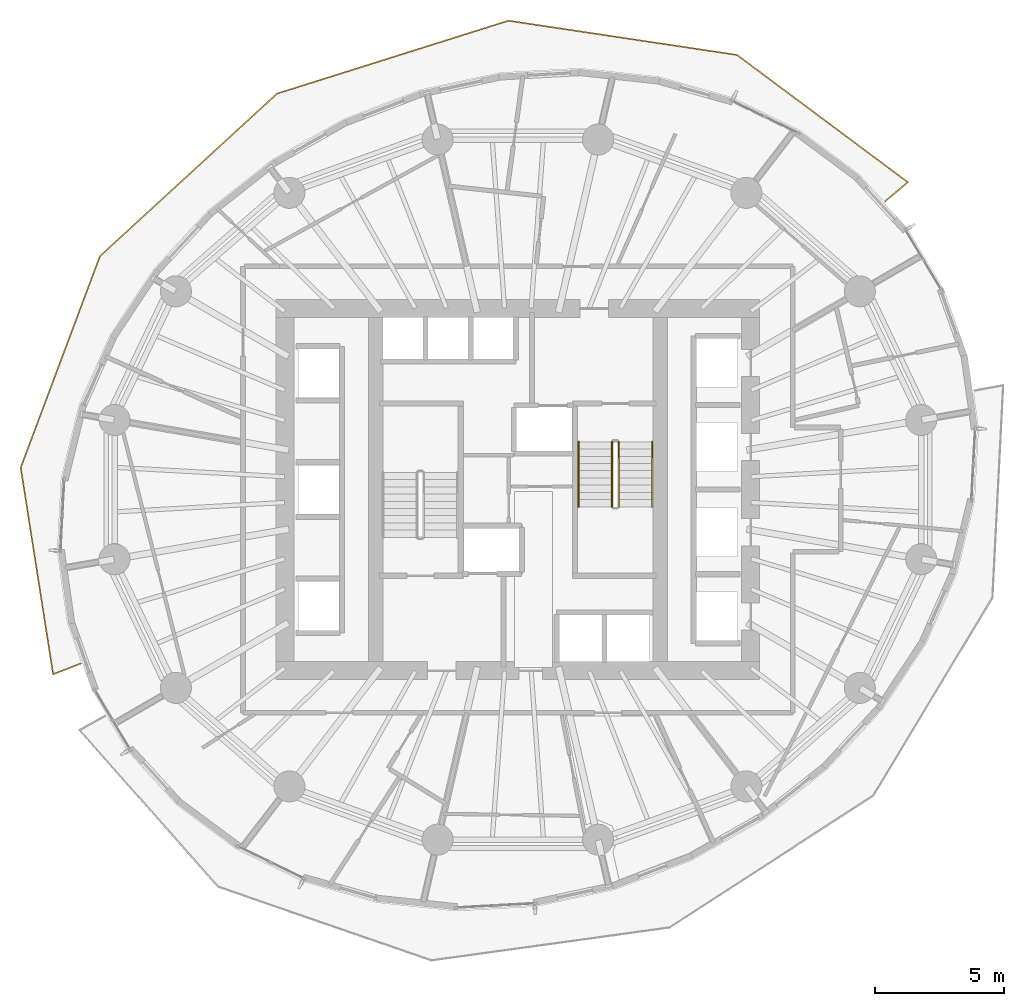
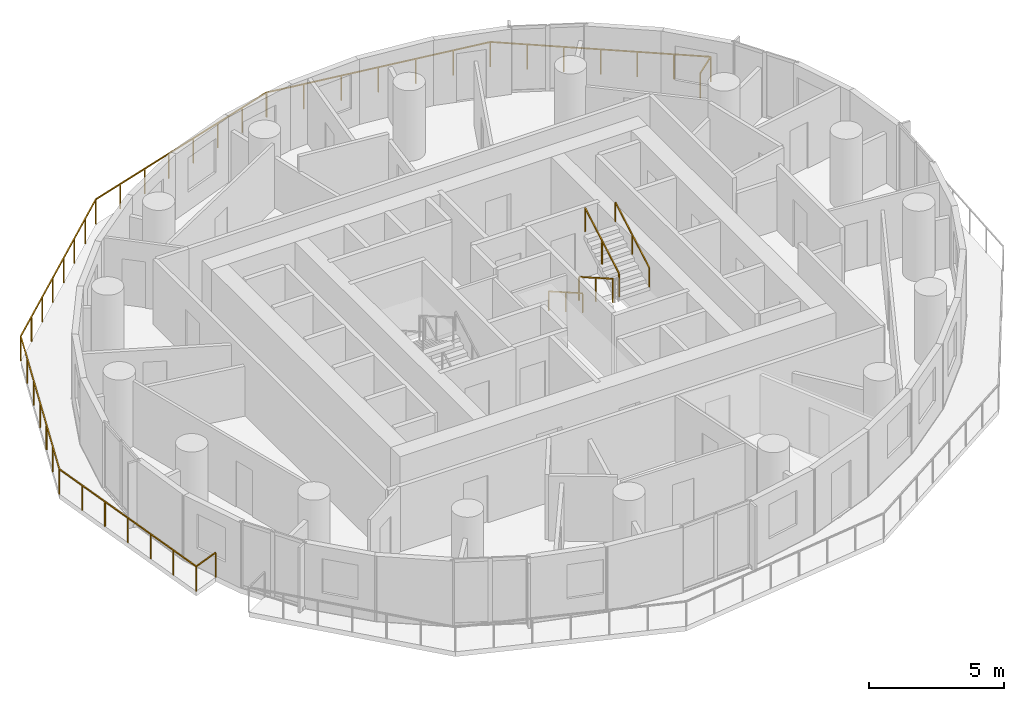
# One storey, part 14 of 15: 5 railings.
"""IFC4 building model written with IfcOpenShell, lengths in metres."""

from ifc_helpers import new_model, si_unit, direction, frame, origin, origin_2d, place, context, subcontext, project, spatial, rectangle, extrude, material, type_object, element, save


model = new_model("IFC4")

# Units and contexts
model_context = context("Model", 3, precision=1e-05, world=origin(), true_north=direction((0.0, 1.0)))
body_context = subcontext(model_context, "Body", "Model", "MODEL_VIEW")
ifc_project = project(units=[si_unit("LENGTHUNIT", "METRE"), si_unit("AREAUNIT", "SQUARE_METRE"), si_unit("VOLUMEUNIT", "CUBIC_METRE"), si_unit("PLANEANGLEUNIT", "RADIAN"), si_unit("MASSUNIT", "GRAM", prefix="KILO")], contexts=[model_context])

# Site, building, storey
site_placement = place(None, origin())
site = spatial("IfcSite", under=ifc_project, at=site_placement, CompositionType="ELEMENT")
building_placement = place(site_placement, origin())
building = spatial("IfcBuilding", under=site, at=building_placement, Name="Veldorim Arch Residences", CompositionType="ELEMENT")
storey_placement = place(building_placement, frame((0.0, 0.0, 106.080078125)))
storey = spatial("IfcBuildingStorey", under=building, at=storey_placement, Name="L31", CompositionType="ELEMENT", Elevation=106.080078125)

# Railings
ifc_material_1 = material(Name="Aluminium", Category="aluminium")
railing_type_1 = type_object("IfcRailingType", Name="Balcony & Terrace Laminated Glass Balustrade 1150", PredefinedType="BALUSTRADE", material=ifc_material_1)
railing_1_placement = place(storey_placement, frame((46.20166015625, 35.1455078125, 0.0)))
element("IfcRailing", 1, at=railing_1_placement, inside=storey, type_object=railing_type_1, Name="L31 crescent balcony safety balustrade A", PredefinedType="BALUSTRADE", context=body_context, shape_type="SweptSolid", body=[
    extrude(rectangle(XDim=0.048095703125, YDim=0.048095703125, at=origin_2d()), frame((0.0, 0.0, 1.1259765625), z_axis=(0.765989188314, 0.642853454051, 0.0), x_axis=(-0.642853454051, 0.765989188314, 0.0)), (0.0, 0.0, 1.0), 1.14990234375),
    extrude(rectangle(XDim=0.048095703125, YDim=0.048095703125, at=origin_2d()), frame((0.880859375, 0.7392578125, 1.1259765625), z_axis=(-0.801806269221, 0.59758405822, 0.0), x_axis=(-0.59758405822, -0.801806269221, 0.0)), (0.0, 0.0, 1.0), 8.2392578125),
    extrude(rectangle(XDim=0.048095703125, YDim=0.048095703125, at=origin_2d()), frame((-5.725341796875, 5.662841796875, 1.1259765625), z_axis=(-0.988952574984, 0.148232265154, 0.0), x_axis=(-0.148232265154, -0.988952574984, 0.0)), (0.0, 0.0, 1.0), 8.938232421875),
    extrude(rectangle(XDim=0.048095703125, YDim=0.048095703125, at=origin_2d()), frame((-14.56494140625, 6.98779296875, 1.1259765625), z_axis=(-0.953757858224, -0.300576026783, 0.0), x_axis=(0.300576026783, -0.953757858224, 0.0)), (0.0, 0.0, 1.0), 9.384765625),
    extrude(rectangle(XDim=0.048095703125, YDim=0.048095703125, at=origin_2d()), frame((-23.515625, 4.1669921875, 1.1259765625), z_axis=(-0.736760351909, -0.676153964608, 0.0), x_axis=(0.676153964608, -0.736760351909, 0.0)), (0.0, 0.0, 1.0), 9.293212890625),
    extrude(rectangle(XDim=0.048095703125, YDim=0.048095703125, at=origin_2d()), frame((-30.362548828125, -2.11669921875, 1.1259765625), z_axis=(-0.350927361337, -0.936402684247, 0.0), x_axis=(0.936402684247, -0.350927361337, 0.0)), (0.0, 0.0, 1.0), 8.733154296875),
    extrude(rectangle(XDim=0.048095703125, YDim=0.048095703125, at=origin_2d()), frame((-33.42724609375, -10.29443359375, 1.1259765625), z_axis=(0.154992596857, -0.987915631478, 0.0), x_axis=(0.987915631478, 0.154992596857, 0.0)), (0.0, 0.0, 1.0), 8.091796875),
    extrude(rectangle(XDim=0.048095703125, YDim=0.048095703125, at=origin_2d()), frame((-32.173095703125, -18.288330078125, 1.1259765625), z_axis=(0.932434312288, 0.361339526301, 0.0), x_axis=(-0.361339526301, 0.932434312288, 0.0)), (0.0, 0.0, 1.0), 1.14990234375),
    extrude(rectangle(XDim=0.0419921875, YDim=0.0419921875, at=origin_2d()), origin(), (0.0, 0.0, 1.0), 1.101806640625),
    extrude(rectangle(XDim=0.0419921875, YDim=0.0419921875, at=origin_2d()), frame((0.880859375, 0.7392578125, 0.0)), (0.0, 0.0, 1.0), 1.101806640625),
    extrude(rectangle(XDim=0.0419921875, YDim=0.0419921875, at=origin_2d()), frame((-0.22021484375, 1.559814453125, 0.0)), (0.0, 0.0, 1.0), 1.101806640625),
    extrude(rectangle(XDim=0.0419921875, YDim=0.0419921875, at=origin_2d()), frame((-1.3212890625, 2.38037109375, 0.0)), (0.0, 0.0, 1.0), 1.101806640625),
    extrude(rectangle(XDim=0.0419921875, YDim=0.0419921875, at=origin_2d()), frame((-2.42236328125, 3.201171875, 0.0)), (0.0, 0.0, 1.0), 1.101806640625),
    extrude(rectangle(XDim=0.0419921875, YDim=0.0419921875, at=origin_2d()), frame((-3.523193359375, 4.021728515625, 0.0)), (0.0, 0.0, 1.0), 1.101806640625),
    extrude(rectangle(XDim=0.0419921875, YDim=0.0419921875, at=origin_2d()), frame((-4.624267578125, 4.84228515625, 0.0)), (0.0, 0.0, 1.0), 1.101806640625),
    extrude(rectangle(XDim=0.0419921875, YDim=0.0419921875, at=origin_2d()), frame((-5.725341796875, 5.662841796875, 0.0)), (0.0, 0.0, 1.0), 1.101806640625),
    extrude(rectangle(XDim=0.0419921875, YDim=0.0419921875, at=origin_2d()), frame((-7.19873046875, 5.8837890625, 0.0)), (0.0, 0.0, 1.0), 1.101806640625),
    extrude(rectangle(XDim=0.0419921875, YDim=0.0419921875, at=origin_2d()), frame((-8.671875, 6.1044921875, 0.0)), (0.0, 0.0, 1.0), 1.101806640625),
    extrude(rectangle(XDim=0.0419921875, YDim=0.0419921875, at=origin_2d()), frame((-10.14501953125, 6.3251953125, 0.0)), (0.0, 0.0, 1.0), 1.101806640625),
    extrude(rectangle(XDim=0.0419921875, YDim=0.0419921875, at=origin_2d()), frame((-11.618408203125, 6.546142578125, 0.0)), (0.0, 0.0, 1.0), 1.101806640625),
    extrude(rectangle(XDim=0.0419921875, YDim=0.0419921875, at=origin_2d()), frame((-13.091796875, 6.76708984375, 0.0)), (0.0, 0.0, 1.0), 1.101806640625),
    extrude(rectangle(XDim=0.0419921875, YDim=0.0419921875, at=origin_2d()), frame((-14.56494140625, 6.98779296875, 0.0)), (0.0, 0.0, 1.0), 1.101806640625),
    extrude(rectangle(XDim=0.0419921875, YDim=0.0419921875, at=origin_2d()), frame((-15.843505859375, 6.584716796875, 0.0)), (0.0, 0.0, 1.0), 1.101806640625),
    extrude(rectangle(XDim=0.0419921875, YDim=0.0419921875, at=origin_2d()), frame((-17.122314453125, 6.181884765625, 0.0)), (0.0, 0.0, 1.0), 1.101806640625),
    extrude(rectangle(XDim=0.0419921875, YDim=0.0419921875, at=origin_2d()), frame((-18.40087890625, 5.77880859375, 0.0)), (0.0, 0.0, 1.0), 1.101806640625),
    extrude(rectangle(XDim=0.0419921875, YDim=0.0419921875, at=origin_2d()), frame((-19.6796875, 5.3759765625, 0.0)), (0.0, 0.0, 1.0), 1.101806640625),
    extrude(rectangle(XDim=0.0419921875, YDim=0.0419921875, at=origin_2d()), frame((-20.958251953125, 4.972900390625, 0.0)), (0.0, 0.0, 1.0), 1.101806640625),
    extrude(rectangle(XDim=0.0419921875, YDim=0.0419921875, at=origin_2d()), frame((-22.237060546875, 4.570068359375, 0.0)), (0.0, 0.0, 1.0), 1.101806640625),
    extrude(rectangle(XDim=0.0419921875, YDim=0.0419921875, at=origin_2d()), frame((-23.515625, 4.1669921875, 0.0)), (0.0, 0.0, 1.0), 1.101806640625),
    extrude(rectangle(XDim=0.0419921875, YDim=0.0419921875, at=origin_2d()), frame((-24.49365234375, 3.269287109375, 0.0)), (0.0, 0.0, 1.0), 1.101806640625),
    extrude(rectangle(XDim=0.0419921875, YDim=0.0419921875, at=origin_2d()), frame((-25.471923828125, 2.37158203125, 0.0)), (0.0, 0.0, 1.0), 1.101806640625),
    extrude(rectangle(XDim=0.0419921875, YDim=0.0419921875, at=origin_2d()), frame((-26.449951171875, 1.473876953125, 0.0)), (0.0, 0.0, 1.0), 1.101806640625),
    extrude(rectangle(XDim=0.0419921875, YDim=0.0419921875, at=origin_2d()), frame((-27.42822265625, 0.576416015625, 0.0)), (0.0, 0.0, 1.0), 1.101806640625),
    extrude(rectangle(XDim=0.0419921875, YDim=0.0419921875, at=origin_2d()), frame((-28.40625, -0.3212890625, 0.0)), (0.0, 0.0, 1.0), 1.101806640625),
    extrude(rectangle(XDim=0.0419921875, YDim=0.0419921875, at=origin_2d()), frame((-29.384521484375, -1.218994140625, 0.0)), (0.0, 0.0, 1.0), 1.101806640625),
    extrude(rectangle(XDim=0.0419921875, YDim=0.0419921875, at=origin_2d()), frame((-30.362548828125, -2.11669921875, 0.0)), (0.0, 0.0, 1.0), 1.101806640625),
    extrude(rectangle(XDim=0.0419921875, YDim=0.0419921875, at=origin_2d()), frame((-30.873291015625, -3.479736328125, 0.0)), (0.0, 0.0, 1.0), 1.101806640625),
    extrude(rectangle(XDim=0.0419921875, YDim=0.0419921875, at=origin_2d()), frame((-31.384033203125, -4.842529296875, 0.0)), (0.0, 0.0, 1.0), 1.101806640625),
    extrude(rectangle(XDim=0.0419921875, YDim=0.0419921875, at=origin_2d()), frame((-31.89501953125, -6.20556640625, 0.0)), (0.0, 0.0, 1.0), 1.101806640625),
    extrude(rectangle(XDim=0.0419921875, YDim=0.0419921875, at=origin_2d()), frame((-32.40576171875, -7.568603515625, 0.0)), (0.0, 0.0, 1.0), 1.101806640625),
    extrude(rectangle(XDim=0.0419921875, YDim=0.0419921875, at=origin_2d()), frame((-32.91650390625, -8.931396484375, 0.0)), (0.0, 0.0, 1.0), 1.101806640625),
    extrude(rectangle(XDim=0.0419921875, YDim=0.0419921875, at=origin_2d()), frame((-33.42724609375, -10.29443359375, 0.0)), (0.0, 0.0, 1.0), 1.101806640625),
    extrude(rectangle(XDim=0.0419921875, YDim=0.0419921875, at=origin_2d()), frame((-33.21826171875, -11.626708984375, 0.0)), (0.0, 0.0, 1.0), 1.101806640625),
    extrude(rectangle(XDim=0.0419921875, YDim=0.0419921875, at=origin_2d()), frame((-33.00927734375, -12.958984375, 0.0)), (0.0, 0.0, 1.0), 1.101806640625),
    extrude(rectangle(XDim=0.0419921875, YDim=0.0419921875, at=origin_2d()), frame((-32.80029296875, -14.29150390625, 0.0)), (0.0, 0.0, 1.0), 1.101806640625),
    extrude(rectangle(XDim=0.0419921875, YDim=0.0419921875, at=origin_2d()), frame((-32.591064453125, -15.623779296875, 0.0)), (0.0, 0.0, 1.0), 1.101806640625),
    extrude(rectangle(XDim=0.0419921875, YDim=0.0419921875, at=origin_2d()), frame((-32.382080078125, -16.9560546875, 0.0)), (0.0, 0.0, 1.0), 1.101806640625),
    extrude(rectangle(XDim=0.0419921875, YDim=0.0419921875, at=origin_2d()), frame((-32.173095703125, -18.288330078125, 0.0)), (0.0, 0.0, 1.0), 1.101806640625),
    extrude(rectangle(XDim=0.0419921875, YDim=0.0419921875, at=origin_2d()), frame((-31.100830078125, -17.872802734375, 0.0)), (0.0, 0.0, 1.0), 1.101806640625),
])
ifc_material_2 = material(Name="Steel S355", Category="steel")
railing_type_2 = type_object("IfcRailingType", Name="Galvanised Steel Stair Safety Guardrail 1100", PredefinedType="GUARDRAIL", material=ifc_material_2)
railing_2_placement = place(storey_placement, frame((35.639892578125, 25.85009765625, 0.159912109375)))
element("IfcRailing", 2, at=railing_2_placement, inside=storey, type_object=railing_type_2, Name="L31 ST-2 stair guard 1", PredefinedType="GUARDRAIL", context=body_context, shape_type="SweptSolid", body=[
    extrude(rectangle(XDim=0.048095703125, YDim=0.048095703125, at=origin_2d()), frame((0.0, 0.0, 1.076171875), z_axis=(0.0, -0.868253494771, 0.496120820787), x_axis=(1.0, 0.0, 0.0)), (0.0, 0.0, 1.0), 2.90234375),
    extrude(rectangle(XDim=0.0419921875, YDim=0.0419921875, at=origin_2d()), origin(), (0.0, 0.0, 1.0), 1.052001953125),
    extrude(rectangle(XDim=0.0419921875, YDim=0.0419921875, at=origin_2d()), frame((0.0, -1.260009765625, 0.719970703125)), (0.0, 0.0, 1.0), 1.052001953125),
    extrude(rectangle(XDim=0.0419921875, YDim=0.0419921875, at=origin_2d()), frame((0.0, -2.52001953125, 1.43994140625)), (0.0, 0.0, 1.0), 1.052001953125),
])
railing_3_placement = place(storey_placement, frame((35.89990234375, 23.330078125, 1.760009765625)))
element("IfcRailing", 3, at=railing_3_placement, inside=storey, type_object=railing_type_2, Name="L31 ST-2 stair guard 3", PredefinedType="GUARDRAIL", context=body_context, shape_type="SweptSolid", body=[
    extrude(rectangle(XDim=0.048095703125, YDim=0.048095703125, at=origin_2d()), frame((0.0, 0.0, 1.076171875), z_axis=(0.0, 0.868253494771, 0.496120820787), x_axis=(-1.0, 0.0, 0.0)), (0.0, 0.0, 1.0), 2.90234375),
    extrude(rectangle(XDim=0.0419921875, YDim=0.0419921875, at=origin_2d()), origin(), (0.0, 0.0, 1.0), 1.052001953125),
    extrude(rectangle(XDim=0.0419921875, YDim=0.0419921875, at=origin_2d()), frame((0.0, 1.260009765625, 0.719970703125)), (0.0, 0.0, 1.0), 1.052001953125),
    extrude(rectangle(XDim=0.0419921875, YDim=0.0419921875, at=origin_2d()), frame((0.0, 2.52001953125, 1.43994140625)), (0.0, 0.0, 1.0), 1.052001953125),
])
ifc_material_3 = material(Name="Stainless Steel", Category="steel")
railing_type_3 = type_object("IfcRailingType", Name="Tubular Steel Continuous Wall Handrail 900", PredefinedType="HANDRAIL", material=ifc_material_3)
railing_4_placement = place(storey_placement, frame((34.340087890625, 25.85009765625, 0.159912109375)))
element("IfcRailing", 4, at=railing_4_placement, inside=storey, type_object=railing_type_3, Name="L31 ST-2 stair handrail 1", PredefinedType="HANDRAIL", context=body_context, shape_type="SweptSolid", body=[
    extrude(rectangle(XDim=0.048095703125, YDim=0.048095703125, at=origin_2d()), frame((0.0, 0.0, 0.8759765625), z_axis=(0.0, -0.868253494771, 0.496120820787), x_axis=(1.0, 0.0, 0.0)), (0.0, 0.0, 1.0), 2.90234375),
    extrude(rectangle(XDim=0.0419921875, YDim=0.0419921875, at=origin_2d()), origin(), (0.0, 0.0, 1.0), 0.851806640625),
    extrude(rectangle(XDim=0.0419921875, YDim=0.0419921875, at=origin_2d()), frame((0.0, -1.260009765625, 0.719970703125)), (0.0, 0.0, 1.0), 0.851806640625),
    extrude(rectangle(XDim=0.0419921875, YDim=0.0419921875, at=origin_2d()), frame((0.0, -2.52001953125, 1.43994140625)), (0.0, 0.0, 1.0), 0.851806640625),
])
railing_5_placement = place(storey_placement, frame((37.199951171875, 23.330078125, 1.760009765625)))
element("IfcRailing", 5, at=railing_5_placement, inside=storey, type_object=railing_type_3, Name="L31 ST-2 stair handrail 2", PredefinedType="HANDRAIL", context=body_context, shape_type="SweptSolid", body=[
    extrude(rectangle(XDim=0.048095703125, YDim=0.048095703125, at=origin_2d()), frame((0.0, 0.0, 0.8759765625), z_axis=(0.0, 0.868253494771, 0.496120820787), x_axis=(-1.0, 0.0, 0.0)), (0.0, 0.0, 1.0), 2.90234375),
    extrude(rectangle(XDim=0.0419921875, YDim=0.0419921875, at=origin_2d()), origin(), (0.0, 0.0, 1.0), 0.851806640625),
    extrude(rectangle(XDim=0.0419921875, YDim=0.0419921875, at=origin_2d()), frame((0.0, 1.260009765625, 0.719970703125)), (0.0, 0.0, 1.0), 0.851806640625),
    extrude(rectangle(XDim=0.0419921875, YDim=0.0419921875, at=origin_2d()), frame((0.0, 2.52001953125, 1.43994140625)), (0.0, 0.0, 1.0), 0.851806640625),
])

save(model, "model.ifc")
